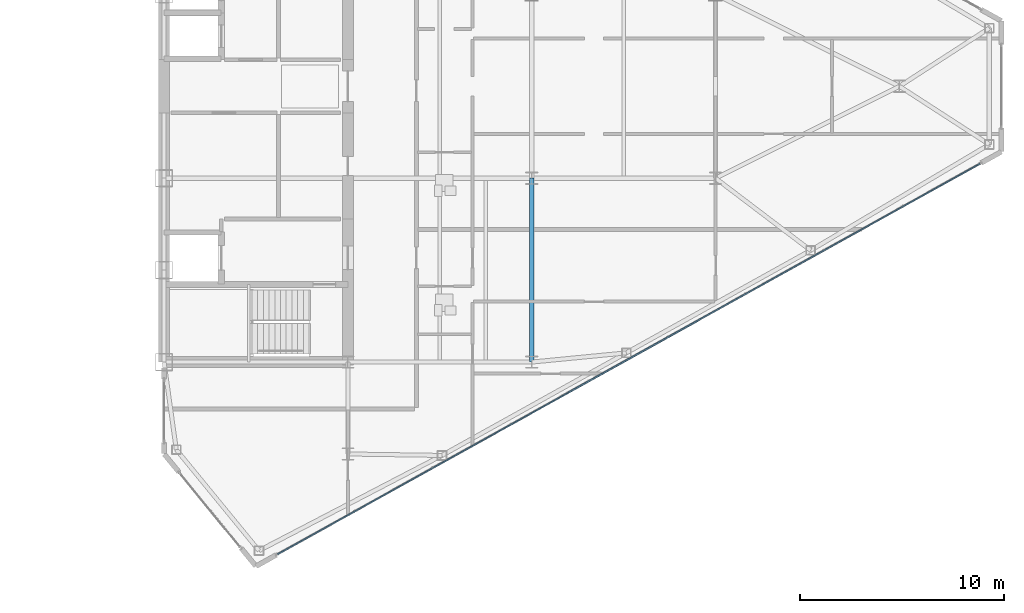
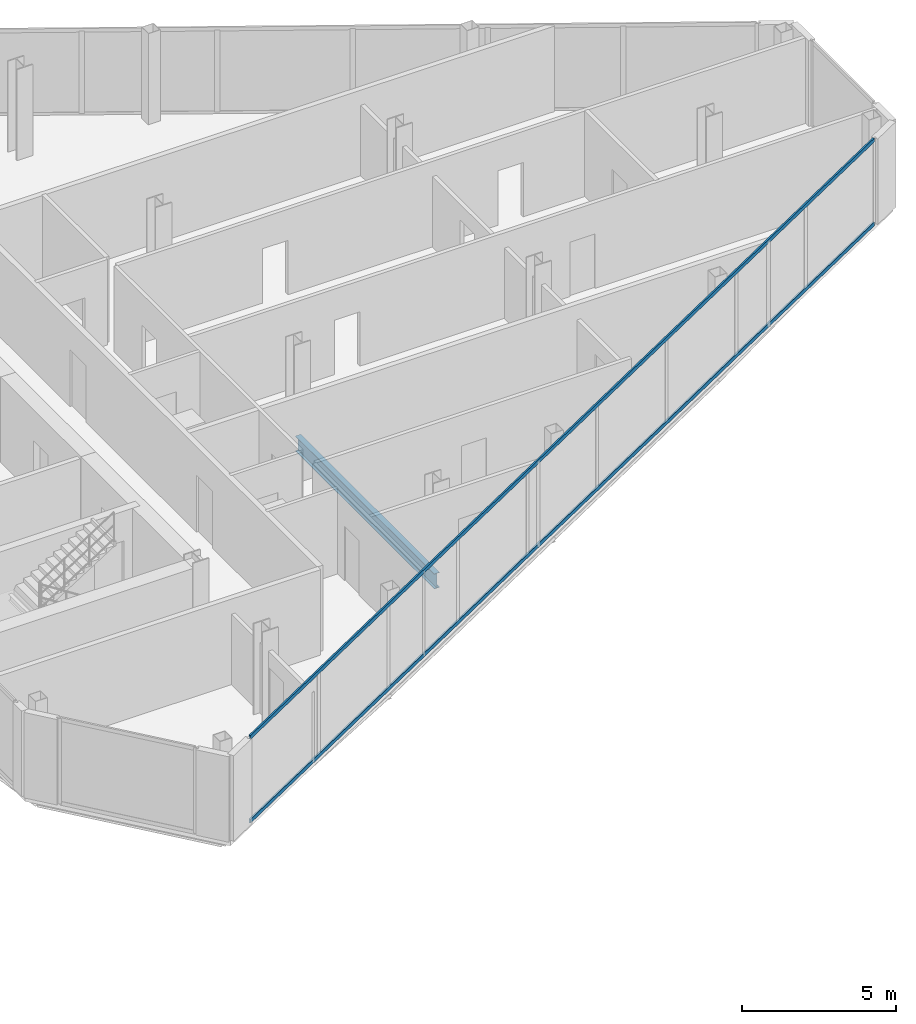
# One storey, part 12 of 26: 2 members, 1 beam, 1 element without a shape of its own.
"""IFC4 building model written with IfcOpenShell, lengths in metres."""

from ifc_helpers import new_model, si_unit, direction, frame, origin, origin_2d, place, context, subcontext, project, spatial, rectangle, i_section, extrude, source, transform, mapped, material, layer, layer_set, material_profile, profile_set, type_object, type_shapes, element, aggregate, save


model = new_model("IFC4")

# Units and contexts
model_context = context("Model", 3, precision=1e-05, world=origin(), true_north=direction((0.0, 1.0)))
body_context = subcontext(model_context, "Body", "Model", "MODEL_VIEW")
ifc_project = project(units=[si_unit("LENGTHUNIT", "METRE"), si_unit("AREAUNIT", "SQUARE_METRE"), si_unit("VOLUMEUNIT", "CUBIC_METRE"), si_unit("PLANEANGLEUNIT", "RADIAN"), si_unit("MASSUNIT", "GRAM", prefix="KILO")], contexts=[model_context])

# Site, building, storey
site_placement = place(None, origin())
site = spatial("IfcSite", under=ifc_project, at=site_placement, CompositionType="ELEMENT")
building_placement = place(site_placement, origin())
building = spatial("IfcBuilding", under=site, at=building_placement, Name="Seokmaru Belvedere", CompositionType="ELEMENT")
storey_placement = place(building_placement, frame((0.0, 0.0, 174.300048828125)))
storey = spatial("IfcBuildingStorey", under=building, at=storey_placement, Name="L46", CompositionType="ELEMENT", Elevation=174.300048828125)

# Beam
ifc_material_1 = material(Name="Steel SM355 (355 MPa)", Category="steel")
ifc_material_profile_1 = material_profile(ifc_material_1, i_section(OverallWidth=0.199951171875, OverallDepth=0.60009765625, WebThickness=0.010986328125, FlangeThickness=0.01708984375, at=origin_2d()), Name="H-600x200x11x17")
ifc_profile_set_1 = profile_set([ifc_material_profile_1], Name="Steel SM355 (355 MPa)")
beam_type = type_object("IfcBeamType", Name="Primary Floor Girder H-600", PredefinedType="BEAM", material=ifc_profile_set_1)
shared_shape_1 = source(origin(), body_context, "Body", "SweptSolid", [
    extrude(i_section(OverallWidth=0.199951171875, OverallDepth=0.60009765625, WebThickness=0.010986328125, FlangeThickness=0.01708984375, at=origin_2d()), origin(), (0.0, 0.0, 1.0), 9.0),
])
type_shapes(beam_type, [shared_shape_1])
beam_placement = place(storey_placement, frame((45.5, -13.5, -0.52001953125), z_axis=(0.0, 1.0, 0.0), x_axis=(-1.0, 0.0, 0.0)))
element("IfcBeam", 1, at=beam_placement, inside=storey, type_object=beam_type, Name="L46 E Interior Grid Girder 1", PredefinedType="BEAM", context=body_context, shape_type="MappedRepresentation", body=[
    mapped(shared_shape_1, transform((0.0, 0.0, 0.0), scale=1.0)),
])

# Curtain wall, members
ifc_material_2 = material(Name="Bronze Triple Insulating Glass", Category="glass")
ifc_layer = layer(ifc_material_2, 0.179931640625)
ifc_layer_set = layer_set([ifc_layer], Name="Bronze Triple Insulating Glass")
curtain_wall_type = type_object("IfcCurtainWallType", Name="High-Rise Wind-Corner Curtain Wall System CW-5", PredefinedType="NOTDEFINED", material=ifc_layer_set)
curtain_wall_placement = place(storey_placement, origin())
curtain_wall = element("IfcCurtainWall", 2, at=curtain_wall_placement, inside=storey, type_object=curtain_wall_type, Name="L46 Curtain Wall EF1", PredefinedType="NOTDEFINED")
ifc_material_3 = material(Name="Anodised Bronze Aluminium", Category="aluminium")
ifc_material_profile_2 = material_profile(ifc_material_3, rectangle(XDim=0.06494140625, YDim=0.14990234375, at=origin_2d()), Name="CW-T-65x150")
ifc_profile_set_2 = profile_set([ifc_material_profile_2], Name="Anodised Bronze Aluminium")
member_type = type_object("IfcMemberType", Name="Bronze Unitised Transom 65x150", PredefinedType="USERDEFINED", material=ifc_profile_set_2)
shared_shape_2 = source(origin(), body_context, "Body", "SweptSolid", [
    extrude(rectangle(XDim=0.06494140625, YDim=0.14990234375, at=origin_2d()), origin(), (0.0, 0.0, 1.0), 39.33544921875),
])
type_shapes(member_type, [shared_shape_2])
member_1_placement = place(storey_placement, frame((33.061767578125, -22.909423828125, 0.032470703125), z_axis=(0.873932045133, 0.486048125693, 0.0), x_axis=(-0.486048125693, 0.873932045133, 0.0)))
member_1 = element("IfcMember", 3, at=member_1_placement, type_object=member_type, Name="CW:L46:EF1 Continuous Transom 1", ObjectType="TRANSOM", PredefinedType="USERDEFINED", context=body_context, shape_type="MappedRepresentation", body=[
    mapped(shared_shape_2, transform((0.0, 0.0, 0.0), scale=1.0)),
])
member_2_placement = place(storey_placement, frame((33.061767578125, -22.909423828125, 3.347412109375), z_axis=(0.873932045133, 0.486048125693, 0.0), x_axis=(-0.486048125693, 0.873932045133, 0.0)))
member_2 = element("IfcMember", 4, at=member_2_placement, type_object=member_type, Name="CW:L46:EF1 Continuous Transom 2", ObjectType="TRANSOM", PredefinedType="USERDEFINED", context=body_context, shape_type="MappedRepresentation", body=[
    mapped(shared_shape_2, transform((0.0, 0.0, 0.0), scale=1.0)),
])
aggregate(curtain_wall, [member_1, member_2])

save(model, "model.ifc")
